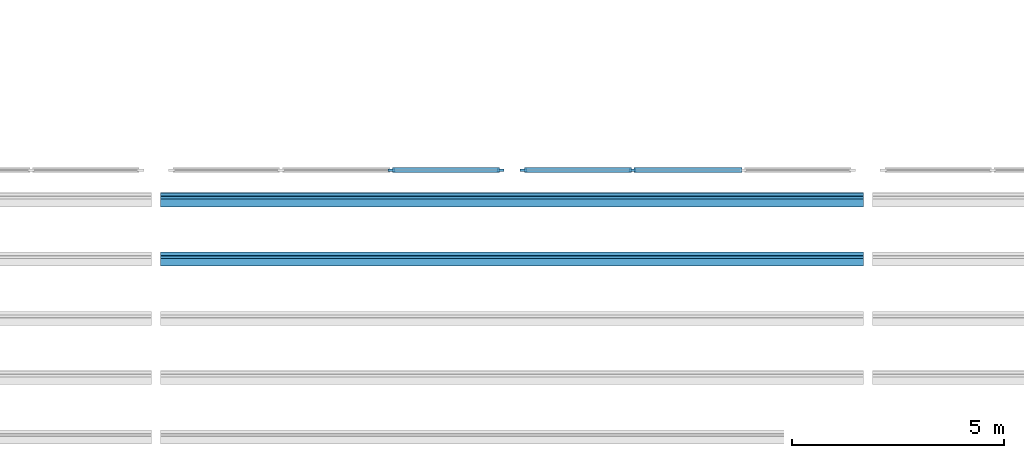
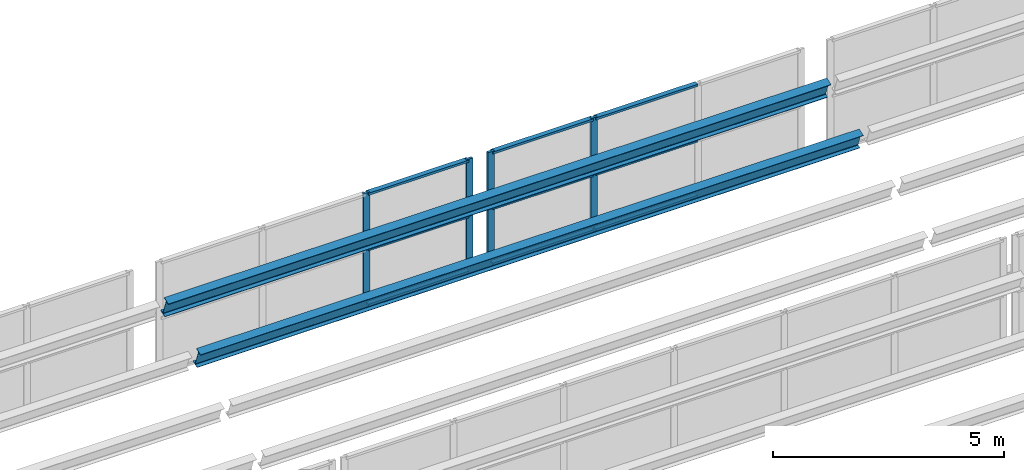
# One storey, part 17 of 116: 15 members, 2 elements without a shape of their own.
"""IFC4 building model written with IfcOpenShell, lengths in metres."""

from ifc_helpers import new_model, si_unit, direction, frame, origin, origin_2d, place, context, subcontext, project, spatial, rectangle, i_section, extrude, material, material_profile, profile_set, type_object, element, aggregate, save


model = new_model("IFC4")

# Units and contexts
model_context = context("Model", 3, precision=1e-05, world=origin(), true_north=direction((0.0, 1.0)))
body_context = subcontext(model_context, "Body", "Model", "MODEL_VIEW")
ifc_project = project(units=[si_unit("LENGTHUNIT", "METRE"), si_unit("AREAUNIT", "SQUARE_METRE"), si_unit("VOLUMEUNIT", "CUBIC_METRE"), si_unit("PLANEANGLEUNIT", "RADIAN"), si_unit("MASSUNIT", "GRAM", prefix="KILO")], contexts=[model_context])

# Site, building, storey
site_placement = place(None, origin())
site = spatial("IfcSite", under=ifc_project, at=site_placement, CompositionType="ELEMENT")
building_placement = place(site_placement, origin())
building = spatial("IfcBuilding", under=site, at=building_placement, Name="Fescue Hill Polytechnic", CompositionType="ELEMENT")
storey_placement = place(building_placement, frame((0.0, 0.0, 13.5)))
storey = spatial("IfcBuildingStorey", under=building, at=storey_placement, Name="L03", CompositionType="ELEMENT", Elevation=13.5)

# Curtain wall, members
ifc_material_1 = material(Name="Aluminium and glass", Category="aluminium")
curtain_wall_type = type_object("IfcCurtainWallType", Name="Sawtooth north glazing curtain wall", PredefinedType="NOTDEFINED", material=ifc_material_1)
curtain_wall_1_placement = place(storey_placement, origin())
curtain_wall_1 = element("IfcCurtainWall", 1, at=curtain_wall_1_placement, inside=storey, type_object=curtain_wall_type, Name="Sawtooth 4 north glazing bay 4 part 1", PredefinedType="NOTDEFINED")
ifc_material_2 = material(Name="Aluminium", Category="aluminium")
ifc_material_profile_1 = material_profile(ifc_material_2, rectangle(XDim=0.06005859375, YDim=0.159912109375, at=origin_2d()), Name="Curtain wall mullion 60x160")
ifc_profile_set_1 = profile_set([ifc_material_profile_1], Name="Aluminium")
member_type_1 = type_object("IfcMemberType", Name="Curtain wall mullion 60x160", PredefinedType="MULLION", material=ifc_profile_set_1)
member_1_placement = place(storey_placement, frame((55.953369140625, 50.39990234375, 0.0), z_axis=(0.0, 0.0, 1.0), x_axis=(0.0, 1.0, 0.0)))
member_1 = element("IfcMember", 2, at=member_1_placement, type_object=member_type_1, Name="CW28 mullion 3", PredefinedType="MULLION", context=body_context, shape_type="SweptSolid", body=[
    extrude(rectangle(XDim=0.06005859375, YDim=0.159912109375, at=origin_2d()), origin(), (0.0, 0.0, 1.0), 3.0),
])
member_2_placement = place(storey_placement, frame((58.530029296875, 50.39990234375, 0.0), z_axis=(0.0, 0.0, 1.0), x_axis=(0.0, 1.0, 0.0)))
member_2 = element("IfcMember", 3, at=member_2_placement, type_object=member_type_1, Name="CW28 mullion 4", PredefinedType="MULLION", context=body_context, shape_type="SweptSolid", body=[
    extrude(rectangle(XDim=0.06005859375, YDim=0.159912109375, at=origin_2d()), origin(), (0.0, 0.0, 1.0), 3.0),
])

curtain_wall_2_placement = place(storey_placement, origin())
curtain_wall_2 = element("IfcCurtainWall", 4, at=curtain_wall_2_placement, inside=storey, type_object=curtain_wall_type, Name="Sawtooth 4 north glazing bay 4 part 2", PredefinedType="NOTDEFINED")
member_3_placement = place(storey_placement, frame((59.070068359375, 50.39990234375, 0.0), z_axis=(0.0, 0.0, 1.0), x_axis=(0.0, 1.0, 0.0)))
member_3 = element("IfcMember", 5, at=member_3_placement, type_object=member_type_1, Name="CW29 mullion 1", PredefinedType="MULLION", context=body_context, shape_type="SweptSolid", body=[
    extrude(rectangle(XDim=0.06005859375, YDim=0.159912109375, at=origin_2d()), origin(), (0.0, 0.0, 1.0), 3.0),
])
member_4_placement = place(storey_placement, frame((61.646728515625, 50.39990234375, 0.0), z_axis=(0.0, 0.0, 1.0), x_axis=(0.0, 1.0, 0.0)))
member_4 = element("IfcMember", 6, at=member_4_placement, type_object=member_type_1, Name="CW29 mullion 2", PredefinedType="MULLION", context=body_context, shape_type="SweptSolid", body=[
    extrude(rectangle(XDim=0.06005859375, YDim=0.159912109375, at=origin_2d()), origin(), (0.0, 0.0, 1.0), 3.0),
])

# Member
ifc_material_profile_2 = material_profile(ifc_material_2, rectangle(XDim=0.1201171875, YDim=0.06005859375, at=origin_2d()), Name="Curtain wall transom 60x120")
ifc_profile_set_2 = profile_set([ifc_material_profile_2], Name="Aluminium")
member_type_2 = type_object("IfcMemberType", Name="Curtain wall transom 60x120", PredefinedType="USERDEFINED", material=ifc_profile_set_2)
member_5_placement = place(storey_placement, frame((55.9833984375, 50.39990234375, 0.030029296875), z_axis=(1.0, 0.0, 0.0), x_axis=(0.0, 1.0, 0.0)))
member_5 = element("IfcMember", 7, at=member_5_placement, type_object=member_type_2, Name="CW28 transom 3.1", ObjectType="TRANSOM", PredefinedType="USERDEFINED", context=body_context, shape_type="SweptSolid", body=[
    extrude(rectangle(XDim=0.1201171875, YDim=0.06005859375, at=origin_2d()), origin(), (0.0, 0.0, 1.0), 2.5166015625),
])

member_6_placement = place(storey_placement, frame((55.9833984375, 50.39990234375, 1.5), z_axis=(1.0, 0.0, 0.0), x_axis=(0.0, 1.0, 0.0)))
member_6 = element("IfcMember", 8, at=member_6_placement, type_object=member_type_2, Name="CW28 transom 3.2", ObjectType="TRANSOM", PredefinedType="USERDEFINED", context=body_context, shape_type="SweptSolid", body=[
    extrude(rectangle(XDim=0.1201171875, YDim=0.06005859375, at=origin_2d()), origin(), (0.0, 0.0, 1.0), 2.5166015625),
])

member_7_placement = place(storey_placement, frame((55.9833984375, 50.39990234375, 2.969970703125), z_axis=(1.0, 0.0, 0.0), x_axis=(0.0, 1.0, 0.0)))
member_7 = element("IfcMember", 9, at=member_7_placement, type_object=member_type_2, Name="CW28 transom 3.3", ObjectType="TRANSOM", PredefinedType="USERDEFINED", context=body_context, shape_type="SweptSolid", body=[
    extrude(rectangle(XDim=0.1201171875, YDim=0.06005859375, at=origin_2d()), origin(), (0.0, 0.0, 1.0), 2.5166015625),
])

aggregate(curtain_wall_1, [member_1, member_2, member_5, member_6, member_7])

member_8_placement = place(storey_placement, frame((59.10009765625, 50.39990234375, 0.030029296875), z_axis=(1.0, 0.0, 0.0), x_axis=(0.0, 1.0, 0.0)))
member_8 = element("IfcMember", 10, at=member_8_placement, type_object=member_type_2, Name="CW29 transom 1.1", ObjectType="TRANSOM", PredefinedType="USERDEFINED", context=body_context, shape_type="SweptSolid", body=[
    extrude(rectangle(XDim=0.1201171875, YDim=0.06005859375, at=origin_2d()), origin(), (0.0, 0.0, 1.0), 2.5166015625),
])

member_9_placement = place(storey_placement, frame((59.10009765625, 50.39990234375, 1.5), z_axis=(1.0, 0.0, 0.0), x_axis=(0.0, 1.0, 0.0)))
member_9 = element("IfcMember", 11, at=member_9_placement, type_object=member_type_2, Name="CW29 transom 1.2", ObjectType="TRANSOM", PredefinedType="USERDEFINED", context=body_context, shape_type="SweptSolid", body=[
    extrude(rectangle(XDim=0.1201171875, YDim=0.06005859375, at=origin_2d()), origin(), (0.0, 0.0, 1.0), 2.5166015625),
])

member_10_placement = place(storey_placement, frame((59.10009765625, 50.39990234375, 2.969970703125), z_axis=(1.0, 0.0, 0.0), x_axis=(0.0, 1.0, 0.0)))
member_10 = element("IfcMember", 12, at=member_10_placement, type_object=member_type_2, Name="CW29 transom 1.3", ObjectType="TRANSOM", PredefinedType="USERDEFINED", context=body_context, shape_type="SweptSolid", body=[
    extrude(rectangle(XDim=0.1201171875, YDim=0.06005859375, at=origin_2d()), origin(), (0.0, 0.0, 1.0), 2.5166015625),
])

member_11_placement = place(storey_placement, frame((61.6767578125, 50.39990234375, 0.030029296875), z_axis=(1.0, 0.0, 0.0), x_axis=(0.0, 1.0, 0.0)))
member_11 = element("IfcMember", 13, at=member_11_placement, type_object=member_type_2, Name="CW29 transom 2.1", ObjectType="TRANSOM", PredefinedType="USERDEFINED", context=body_context, shape_type="SweptSolid", body=[
    extrude(rectangle(XDim=0.1201171875, YDim=0.06005859375, at=origin_2d()), origin(), (0.0, 0.0, 1.0), 2.546630859375),
])

member_12_placement = place(storey_placement, frame((61.6767578125, 50.39990234375, 1.5), z_axis=(1.0, 0.0, 0.0), x_axis=(0.0, 1.0, 0.0)))
member_12 = element("IfcMember", 14, at=member_12_placement, type_object=member_type_2, Name="CW29 transom 2.2", ObjectType="TRANSOM", PredefinedType="USERDEFINED", context=body_context, shape_type="SweptSolid", body=[
    extrude(rectangle(XDim=0.1201171875, YDim=0.06005859375, at=origin_2d()), origin(), (0.0, 0.0, 1.0), 2.546630859375),
])

member_13_placement = place(storey_placement, frame((61.6767578125, 50.39990234375, 2.969970703125), z_axis=(1.0, 0.0, 0.0), x_axis=(0.0, 1.0, 0.0)))
member_13 = element("IfcMember", 15, at=member_13_placement, type_object=member_type_2, Name="CW29 transom 2.3", ObjectType="TRANSOM", PredefinedType="USERDEFINED", context=body_context, shape_type="SweptSolid", body=[
    extrude(rectangle(XDim=0.1201171875, YDim=0.06005859375, at=origin_2d()), origin(), (0.0, 0.0, 1.0), 2.546630859375),
])

aggregate(curtain_wall_2, [member_3, member_4, member_8, member_9, member_10, member_11, member_12, member_13])

# Members
ifc_material_3 = material(Name="Steel 350W (350 MPa)", Category="steel")
ifc_material_profile_3 = material_profile(ifc_material_3, i_section(OverallWidth=0.18994140625, OverallDepth=0.45703125, WebThickness=0.009033203125, FlangeThickness=0.014404296875, FilletRadius=0.0166015625, at=origin_2d()), Name="W460x74")
ifc_profile_set_3 = profile_set([ifc_material_profile_3], Name="Steel 350W (350 MPa)")
member_type_3 = type_object("IfcMemberType", Name="Tooth purlin W460x74", PredefinedType="PURLIN", material=ifc_profile_set_3)
member_14_placement = place(storey_placement, frame((50.50439453125, 48.300048828125, 1.794921875), z_axis=(1.0, 0.0, 0.0), x_axis=(0.0, 0.941741911595, 0.336336396997)))
element("IfcMember", 16, at=member_14_placement, inside=storey, type_object=member_type_3, Name="Tooth 4 purlin 5 bay 4", PredefinedType="PURLIN", context=body_context, shape_type="SweptSolid", body=[
    extrude(i_section(OverallWidth=0.18994140625, OverallDepth=0.45703125, WebThickness=0.009033203125, FlangeThickness=0.014404296875, FilletRadius=0.0166015625, at=origin_2d()), origin(), (0.0, 0.0, 1.0), 16.591064453125),
])
ifc_material_profile_4 = material_profile(ifc_material_3, i_section(OverallWidth=0.193115234375, OverallDepth=0.466064453125, WebThickness=0.011474609375, FlangeThickness=0.01904296875, FilletRadius=0.01708984375, at=origin_2d()), Name="W460x97")
ifc_profile_set_4 = profile_set([ifc_material_profile_4], Name="Steel 350W (350 MPa)")
member_type_4 = type_object("IfcMemberType", Name="Tooth ridge purlin W460x97", PredefinedType="PURLIN", material=ifc_profile_set_4)
member_15_placement = place(storey_placement, frame((50.50439453125, 49.699951171875, 2.290283203125), z_axis=(1.0, 0.0, 0.0), x_axis=(0.0, 0.941741911595, 0.336336396997)))
element("IfcMember", 17, at=member_15_placement, inside=storey, type_object=member_type_4, Name="Tooth 4 ridge purlin bay 4", PredefinedType="PURLIN", context=body_context, shape_type="SweptSolid", body=[
    extrude(i_section(OverallWidth=0.193115234375, OverallDepth=0.466064453125, WebThickness=0.011474609375, FlangeThickness=0.01904296875, FilletRadius=0.01708984375, at=origin_2d()), origin(), (0.0, 0.0, 1.0), 16.591064453125),
])

save(model, "model.ifc")
